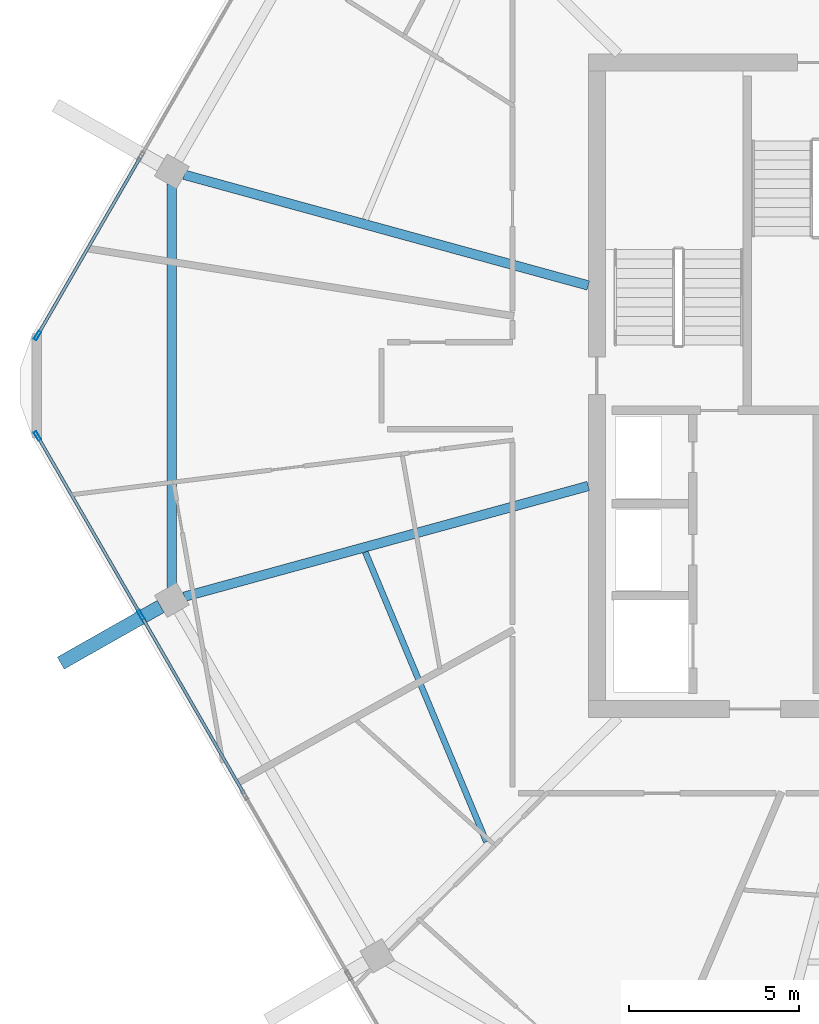
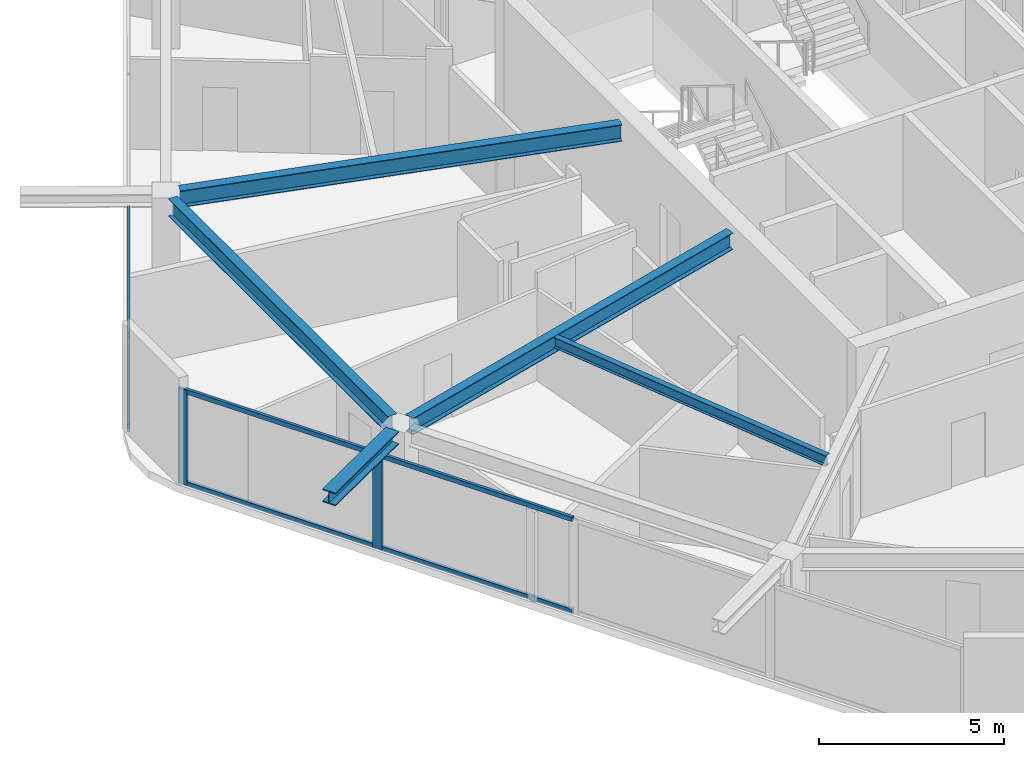
# One storey, part 4 of 21: 9 members, 5 beams, 2 elements without a shape of their own.
"""IFC4 building model written with IfcOpenShell, lengths in metres."""

from ifc_helpers import new_model, si_unit, direction, frame, origin, origin_2d, place, context, subcontext, project, spatial, hollow_rectangle, i_section, extrude, material, material_profile, profile_set, type_object, element, aggregate, save


model = new_model("IFC4")

# Units and contexts
model_context = context("Model", 3, precision=1e-05, world=origin(), true_north=direction((0.0, 1.0)))
body_context = subcontext(model_context, "Body", "Model", "MODEL_VIEW")
ifc_project = project(units=[si_unit("LENGTHUNIT", "METRE"), si_unit("AREAUNIT", "SQUARE_METRE"), si_unit("VOLUMEUNIT", "CUBIC_METRE"), si_unit("PLANEANGLEUNIT", "RADIAN"), si_unit("MASSUNIT", "GRAM", prefix="KILO")], contexts=[model_context])

# Site, building, storey
site_placement = place(None, origin())
site = spatial("IfcSite", under=ifc_project, at=site_placement, CompositionType="ELEMENT")
building_placement = place(site_placement, origin())
building = spatial("IfcBuilding", under=site, at=building_placement, Name="Zuhravey Tower", CompositionType="ELEMENT")
storey_placement = place(building_placement, frame((0.0, 0.0, 334.800048828125)))
storey = spatial("IfcBuildingStorey", under=building, at=storey_placement, Name="L85", CompositionType="ELEMENT", Elevation=334.800048828125)

# Curtain wall, members
ifc_material_1 = material(Name="Thermally broken anodised aluminium", Category="aluminium")
curtain_wall_type = type_object("IfcCurtainWallType", Name="Zone 3-4 High-Rise Curtain Wall CW4", PredefinedType="NOTDEFINED", material=ifc_material_1)
curtain_wall_1_placement = place(storey_placement, origin())
curtain_wall_1 = element("IfcCurtainWall", 1, at=curtain_wall_1_placement, inside=storey, type_object=curtain_wall_type, Name="L85 CW4 CW-L85-F4-1", PredefinedType="NOTDEFINED")
ifc_material_2 = material(Name="Anodised aluminium", Category="aluminium")
ifc_material_profile_1 = material_profile(ifc_material_2, hollow_rectangle(XDim=0.090087890625, YDim=0.284912109375, WallThickness=0.0048828125, at=origin_2d()), Name="ALU-RHS-90x285x5")
ifc_profile_set_1 = profile_set([ifc_material_profile_1], Name="Anodised aluminium")
member_type_1 = type_object("IfcMemberType", Name="Curtain-Wall Mullion 90x180", PredefinedType="MULLION", material=ifc_profile_set_1)
member_1_placement = place(storey_placement, frame((12.09130859375, 25.2626953125, 0.0), z_axis=(0.0, 0.0, 1.0), x_axis=(-0.866025511541, -0.49999981336, 0.0)))
member_1 = element("IfcMember", 2, at=member_1_placement, type_object=member_type_1, Name="CW4 mullion 4", PredefinedType="MULLION", context=body_context, shape_type="SweptSolid", body=[
    extrude(hollow_rectangle(XDim=0.090087890625, YDim=0.284912109375, WallThickness=0.0048828125, at=origin_2d()), origin(), (0.0, 0.0, 1.0), 3.1220703125),
])
member_2_placement = place(storey_placement, frame((9.05419921875, 30.5234375, 0.0), z_axis=(0.0, 0.0, 1.0), x_axis=(-0.866025511541, -0.49999981336, 0.0)))
member_2 = element("IfcMember", 3, at=member_2_placement, type_object=member_type_1, Name="CW4 mullion 5", PredefinedType="MULLION", context=body_context, shape_type="SweptSolid", body=[
    extrude(hollow_rectangle(XDim=0.090087890625, YDim=0.284912109375, WallThickness=0.0048828125, at=origin_2d()), origin(), (0.0, 0.0, 1.0), 3.1220703125),
])

# Curtain wall, member
curtain_wall_2_placement = place(storey_placement, origin())
curtain_wall_2 = element("IfcCurtainWall", 4, at=curtain_wall_2_placement, inside=storey, type_object=curtain_wall_type, Name="L85 CW4 CW-L85-F3-1", PredefinedType="NOTDEFINED")
member_3_placement = place(storey_placement, frame((9.05419921875, 33.4765625, 0.0), z_axis=(0.0, 0.0, 1.0), x_axis=(-0.866025511541, 0.49999981336, 0.0)))
member_3 = element("IfcMember", 5, at=member_3_placement, type_object=member_type_1, Name="CW4 mullion 1", PredefinedType="MULLION", context=body_context, shape_type="SweptSolid", body=[
    extrude(hollow_rectangle(XDim=0.090087890625, YDim=0.284912109375, WallThickness=0.0048828125, at=origin_2d()), origin(), (0.0, 0.0, 1.0), 3.1220703125),
])

# Member
ifc_material_profile_2 = material_profile(ifc_material_2, hollow_rectangle(XDim=0.090087890625, YDim=0.14990234375, WallThickness=0.0048828125, at=origin_2d()), Name="ALU-RHS-90x150x5")
ifc_profile_set_2 = profile_set([ifc_material_profile_2], Name="Anodised aluminium")
member_type_2 = type_object("IfcMemberType", Name="Curtain-Wall Transom 90x150", PredefinedType="USERDEFINED", material=ifc_profile_set_2)
member_4_placement = place(storey_placement, frame((15.128662109375, 20.001953125, 0.044921875), z_axis=(-0.499988837749, 0.866031848217, 0.0), x_axis=(-0.866031848217, -0.499988837749, 0.0)))
member_4 = element("IfcMember", 6, at=member_4_placement, type_object=member_type_2, Name="CW4 transom 3.1", ObjectType="TRANSOM", PredefinedType="USERDEFINED", context=body_context, shape_type="SweptSolid", body=[
    extrude(hollow_rectangle(XDim=0.090087890625, YDim=0.14990234375, WallThickness=0.0048828125, at=origin_2d()), origin(), (0.0, 0.0, 1.0), 6.029541015625),
])

member_5_placement = place(storey_placement, frame((15.128662109375, 20.001953125, 3.076904296875), z_axis=(-0.499988837749, 0.866031848217, 0.0), x_axis=(-0.866031848217, -0.499988837749, 0.0)))
member_5 = element("IfcMember", 7, at=member_5_placement, type_object=member_type_2, Name="CW4 transom 3.2", ObjectType="TRANSOM", PredefinedType="USERDEFINED", context=body_context, shape_type="SweptSolid", body=[
    extrude(hollow_rectangle(XDim=0.090087890625, YDim=0.14990234375, WallThickness=0.0048828125, at=origin_2d()), origin(), (0.0, 0.0, 1.0), 6.029541015625),
])

member_6_placement = place(storey_placement, frame((12.06884765625, 25.3017578125, 0.044921875), z_axis=(-0.499982594807, 0.866035452444, 0.0), x_axis=(-0.866035452444, -0.499982594807, 0.0)))
member_6 = element("IfcMember", 8, at=member_6_placement, type_object=member_type_2, Name="CW4 transom 4.1", ObjectType="TRANSOM", PredefinedType="USERDEFINED", context=body_context, shape_type="SweptSolid", body=[
    extrude(hollow_rectangle(XDim=0.090087890625, YDim=0.14990234375, WallThickness=0.0048828125, at=origin_2d()), origin(), (0.0, 0.0, 1.0), 5.984619140625),
])

member_7_placement = place(storey_placement, frame((12.06884765625, 25.3017578125, 3.076904296875), z_axis=(-0.499982594807, 0.866035452444, 0.0), x_axis=(-0.866035452444, -0.499982594807, 0.0)))
member_7 = element("IfcMember", 9, at=member_7_placement, type_object=member_type_2, Name="CW4 transom 4.2", ObjectType="TRANSOM", PredefinedType="USERDEFINED", context=body_context, shape_type="SweptSolid", body=[
    extrude(hollow_rectangle(XDim=0.090087890625, YDim=0.14990234375, WallThickness=0.0048828125, at=origin_2d()), origin(), (0.0, 0.0, 1.0), 5.984619140625),
])

aggregate(curtain_wall_1, [member_1, member_2, member_4, member_5, member_6, member_7])

member_8_placement = place(storey_placement, frame((9.07666015625, 33.515380859375, 0.044921875), z_axis=(0.499982594807, 0.866035452444, 0.0), x_axis=(-0.866035452444, 0.499982594807, 0.0)))
member_8 = element("IfcMember", 10, at=member_8_placement, type_object=member_type_2, Name="CW4 transom 1.1", ObjectType="TRANSOM", PredefinedType="USERDEFINED", context=body_context, shape_type="SweptSolid", body=[
    extrude(hollow_rectangle(XDim=0.090087890625, YDim=0.14990234375, WallThickness=0.0048828125, at=origin_2d()), origin(), (0.0, 0.0, 1.0), 5.984619140625),
])

member_9_placement = place(storey_placement, frame((9.07666015625, 33.515380859375, 3.076904296875), z_axis=(0.499982594807, 0.866035452444, 0.0), x_axis=(-0.866035452444, 0.499982594807, 0.0)))
member_9 = element("IfcMember", 11, at=member_9_placement, type_object=member_type_2, Name="CW4 transom 1.2", ObjectType="TRANSOM", PredefinedType="USERDEFINED", context=body_context, shape_type="SweptSolid", body=[
    extrude(hollow_rectangle(XDim=0.090087890625, YDim=0.14990234375, WallThickness=0.0048828125, at=origin_2d()), origin(), (0.0, 0.0, 1.0), 5.984619140625),
])

aggregate(curtain_wall_2, [member_3, member_8, member_9])

# Beams
ifc_material_3 = material(Name="Steel SM460", Category="steel")
ifc_material_profile_3 = material_profile(ifc_material_3, i_section(OverallWidth=0.406982421875, OverallDepth=0.427978515625, WebThickness=0.02001953125, FlangeThickness=0.034912109375, at=origin_2d()), Name="H-428x407x20x35")
ifc_profile_set_3 = profile_set([ifc_material_profile_3], Name="Steel SM460")
beam_type_1 = type_object("IfcBeamType", Name="Exoskeleton Node Tie Beam H428x407", PredefinedType="BEAM", material=ifc_profile_set_3)
beam_1_placement = place(storey_placement, frame((12.677001953125, 25.510498046875, 3.3359375), z_axis=(-0.86983187014, -0.493348272206, 0.0), x_axis=(0.493348272206, -0.86983187014, 0.0)))
element("IfcBeam", 12, at=beam_1_placement, inside=storey, type_object=beam_type_1, Name="L85 Exoskeleton Node Tie NT1-07", PredefinedType="BEAM", context=body_context, shape_type="SweptSolid", body=[
    extrude(i_section(OverallWidth=0.406982421875, OverallDepth=0.427978515625, WebThickness=0.02001953125, FlangeThickness=0.034912109375, at=origin_2d()), origin(), (0.0, 0.0, 1.0), 3.3759765625),
])
ifc_material_4 = material(Name="Steel SM355", Category="steel")
ifc_material_profile_4 = material_profile(ifc_material_4, i_section(OverallWidth=0.280029296875, OverallDepth=0.580078125, WebThickness=0.011962890625, FlangeThickness=0.01904296875, at=origin_2d()), Name="H-580x280x12x19")
ifc_profile_set_4 = profile_set([ifc_material_profile_4], Name="Steel SM355")
beam_type_2 = type_object("IfcBeamType", Name="Perimeter Ring Beam H580x280", PredefinedType="BEAM", material=ifc_profile_set_4)
beam_2_placement = place(storey_placement, frame((13.006591796875, 37.92431640625, 3.260009765625), z_axis=(0.0, -1.0, 0.0), x_axis=(1.0, 0.0, 0.0)))
element("IfcBeam", 13, at=beam_2_placement, inside=storey, type_object=beam_type_2, Name="L85 PB4 BM-L85-PB-06", PredefinedType="BEAM", context=body_context, shape_type="SweptSolid", body=[
    extrude(i_section(OverallWidth=0.280029296875, OverallDepth=0.580078125, WebThickness=0.011962890625, FlangeThickness=0.01904296875, at=origin_2d()), origin(), (0.0, 0.0, 1.0), 11.8486328125),
])
ifc_material_profile_5 = material_profile(ifc_material_4, i_section(OverallWidth=0.280029296875, OverallDepth=0.550048828125, WebThickness=0.010986328125, FlangeThickness=0.01806640625, at=origin_2d()), Name="H-550x280x11x18")
ifc_profile_set_5 = profile_set([ifc_material_profile_5], Name="Steel SM355")
beam_type_3 = type_object("IfcBeamType", Name="Radial Primary Girder H550x280", PredefinedType="BEAM", material=ifc_profile_set_5)
for number, where, z_axis, x_axis, name in (
    (14, (25.2470703125, 34.947265625, 3.27490234375), (-0.964428588077, 0.264343523658, 0.0), (-0.264343523658, -0.964428588077, 0.0), "L85 RG4 BM-L85-RAD-06"),
    (15, (25.2470703125, 29.052734375, 3.27490234375), (-0.964428588077, -0.264343523658, 0.0), (0.264343523658, -0.964428588077, 0.0), "L85 RG4 BM-L85-RAD-07"),
):
    element("IfcBeam", number, at=place(storey_placement, frame(where, z_axis=z_axis, x_axis=x_axis)), inside=storey, type_object=beam_type_3, Name=name, PredefinedType="BEAM", context=body_context, shape_type="SweptSolid", body=[
        extrude(i_section(OverallWidth=0.280029296875, OverallDepth=0.550048828125, WebThickness=0.010986328125, FlangeThickness=0.01806640625, at=origin_2d()), origin(), (0.0, 0.0, 1.0), 12.31396484375),
    ])
ifc_material_profile_6 = material_profile(ifc_material_4, i_section(OverallWidth=0.175048828125, OverallDepth=0.35009765625, WebThickness=0.007080078125, FlangeThickness=0.010986328125, at=origin_2d()), Name="H-350x175x7x11")
ifc_profile_set_6 = profile_set([ifc_material_profile_6], Name="Steel SM355")
beam_type_4 = type_object("IfcBeamType", Name="Secondary Floor Joist H350x175", PredefinedType="JOIST", material=ifc_profile_set_6)
beam_3_placement = place(storey_placement, frame((18.692626953125, 27.108154296875, 3.375), z_axis=(0.385657891576, -0.922641853953, 0.0), x_axis=(0.922641853953, 0.385657891576, 0.0)))
element("IfcBeam", 16, at=beam_3_placement, inside=storey, type_object=beam_type_4, Name="L85 SJ3 BM-L85-SJ-07-1", PredefinedType="JOIST", context=body_context, shape_type="SweptSolid", body=[
    extrude(i_section(OverallWidth=0.175048828125, OverallDepth=0.35009765625, WebThickness=0.007080078125, FlangeThickness=0.010986328125, at=origin_2d()), origin(), (0.0, 0.0, 1.0), 9.226806640625),
])

save(model, "model.ifc")
